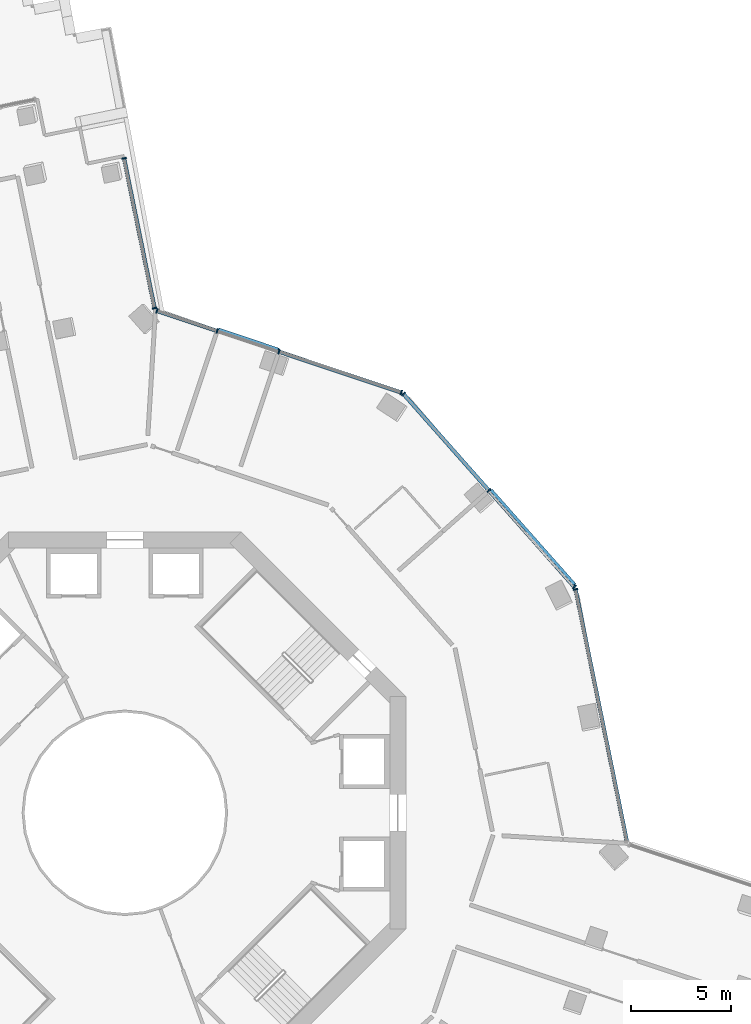
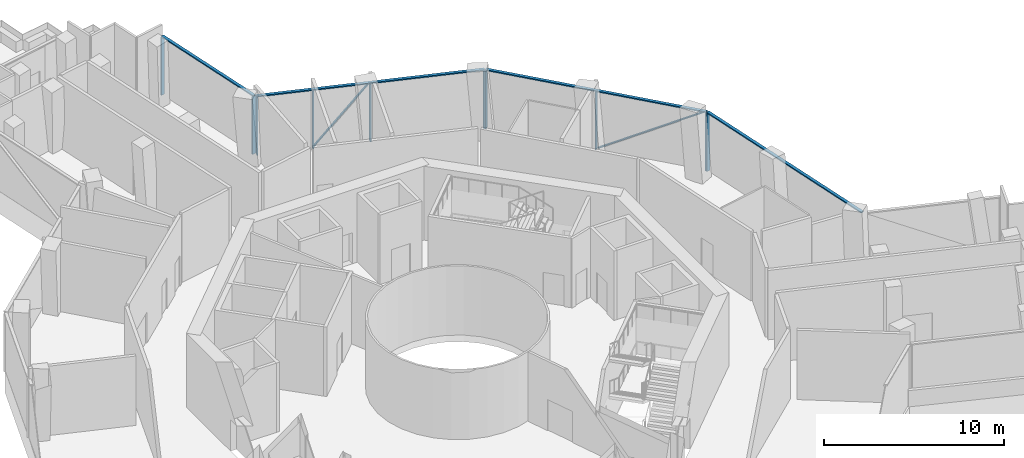
# One storey, part 5 of 20: 16 members, 4 elements without a shape of their own.
"""IFC4 building model written with IfcOpenShell, lengths in metres."""

from ifc_helpers import new_model, si_unit, direction, frame, origin, origin_2d, place, context, subcontext, project, spatial, rectangle, extrude, material, layer, layer_set, material_profile, profile_set, type_object, element, aggregate, save


model = new_model("IFC4")

# Units and contexts
model_context = context("Model", 3, precision=1e-05, world=origin(), true_north=direction((0.0, 1.0)))
body_context = subcontext(model_context, "Body", "Model", "MODEL_VIEW")
ifc_project = project(units=[si_unit("LENGTHUNIT", "METRE"), si_unit("AREAUNIT", "SQUARE_METRE"), si_unit("VOLUMEUNIT", "CUBIC_METRE"), si_unit("PLANEANGLEUNIT", "RADIAN"), si_unit("MASSUNIT", "GRAM", prefix="KILO")], contexts=[model_context])

# Site, building, storey
site_placement = place(None, origin())
site = spatial("IfcSite", under=ifc_project, at=site_placement, CompositionType="ELEMENT")
building_placement = place(site_placement, origin())
building = spatial("IfcBuilding", under=site, at=building_placement, Name="Verdalira Terraces Hotel", CompositionType="ELEMENT")
storey_placement = place(building_placement, frame((0.0, 0.0, 81.0)))
storey = spatial("IfcBuildingStorey", under=building, at=storey_placement, Name="L18", CompositionType="ELEMENT", Elevation=81.0)

# Curtain wall, members
ifc_material_1 = material(Name="Clear glass", Category="glass")
ifc_layer = layer(ifc_material_1, 0.239990234375)
ifc_layer_set = layer_set([ifc_layer], Name="CW5 curtain wall")
curtain_wall_type = type_object("IfcCurtainWallType", Name="CW5 curtain wall", PredefinedType="NOTDEFINED", material=ifc_layer_set)
curtain_wall_1_placement = place(storey_placement, origin())
curtain_wall_1 = element("IfcCurtainWall", 1, at=curtain_wall_1_placement, inside=storey, type_object=curtain_wall_type, Name="CW5 curtain wall L18 edge 0", PredefinedType="NOTDEFINED")
ifc_material_2 = material(Name="Terracotta frame", Category="masonry")
ifc_material_profile_1 = material_profile(ifc_material_2, rectangle(XDim=0.070068, YDim=0.23999, at=origin_2d()), Name="MU 70x240")
ifc_profile_set_1 = profile_set([ifc_material_profile_1], Name="Terracotta frame")
member_type_1 = type_object("IfcMemberType", Name="CW5 mullion 70x240", PredefinedType="MULLION", material=ifc_profile_set_1)
member_1_placement = place(storey_placement, frame((1.477783, 25.146973, 0.0), z_axis=(0.0, 0.0, 1.0), x_axis=(-0.199709981, 0.979855052, 0.0)))
member_1 = element("IfcMember", 2, at=member_1_placement, type_object=member_type_1, Name="CW5 mullion", PredefinedType="MULLION", context=body_context, shape_type="SweptSolid", body=[
    extrude(rectangle(XDim=0.070068, YDim=0.23999, at=origin_2d()), origin(), (0.0, 0.0, 1.0), 3.915039),
])
member_2_placement = place(storey_placement, frame((-0.043945, 32.613281, 0.0), z_axis=(0.0, 0.0, 1.0), x_axis=(-0.199709981, 0.979855052, 0.0)))
member_2 = element("IfcMember", 3, at=member_2_placement, type_object=member_type_1, Name="CW5 mullion", PredefinedType="MULLION", context=body_context, shape_type="SweptSolid", body=[
    extrude(rectangle(XDim=0.070068, YDim=0.23999, at=origin_2d()), origin(), (0.0, 0.0, 1.0), 3.915039),
])

# Curtain wall, member
curtain_wall_2_placement = place(storey_placement, origin())
curtain_wall_2 = element("IfcCurtainWall", 4, at=curtain_wall_2_placement, inside=storey, type_object=curtain_wall_type, Name="CW5 curtain wall L18 edge 39", PredefinedType="NOTDEFINED")
member_3_placement = place(storey_placement, frame((22.457275, 11.134033, 0.0), z_axis=(0.0, 0.0, 1.0), x_axis=(-0.199709981, 0.979855052, 0.0)))
member_3 = element("IfcMember", 5, at=member_3_placement, type_object=member_type_1, Name="CW5 mullion", PredefinedType="MULLION", context=body_context, shape_type="SweptSolid", body=[
    extrude(rectangle(XDim=0.070068, YDim=0.23999, at=origin_2d()), origin(), (0.0, 0.0, 1.0), 3.915039),
])

# Curtain wall, members
curtain_wall_3_placement = place(storey_placement, origin())
curtain_wall_3 = element("IfcCurtainWall", 6, at=curtain_wall_3_placement, inside=storey, type_object=curtain_wall_type, Name="CW5 curtain wall L18 edge 40", PredefinedType="NOTDEFINED")
member_4_placement = place(storey_placement, frame((22.39917, 11.25, 0.0), z_axis=(0.0, 0.0, 1.0), x_axis=(-0.662881443, 0.748724377, 0.0)))
member_4 = element("IfcMember", 7, at=member_4_placement, type_object=member_type_1, Name="CW5 mullion", PredefinedType="MULLION", context=body_context, shape_type="SweptSolid", body=[
    extrude(rectangle(XDim=0.070068, YDim=0.23999, at=origin_2d()), origin(), (0.0, 0.0, 1.0), 3.915039),
])
member_5_placement = place(storey_placement, frame((18.140381, 16.060547, 0.0), z_axis=(0.0, 0.0, 1.0), x_axis=(-0.662881443, 0.748724377, 0.0)))
member_5 = element("IfcMember", 8, at=member_5_placement, type_object=member_type_1, Name="CW5 mullion", PredefinedType="MULLION", context=body_context, shape_type="SweptSolid", body=[
    extrude(rectangle(XDim=0.070068, YDim=0.23999, at=origin_2d()), origin(), (0.0, 0.0, 1.0), 3.915039),
])
member_6_placement = place(storey_placement, frame((13.881348, 20.87085, 0.0), z_axis=(0.0, 0.0, 1.0), x_axis=(-0.662881443, 0.748724377, 0.0)))
member_6 = element("IfcMember", 9, at=member_6_placement, type_object=member_type_1, Name="CW5 mullion", PredefinedType="MULLION", context=body_context, shape_type="SweptSolid", body=[
    extrude(rectangle(XDim=0.070068, YDim=0.23999, at=origin_2d()), origin(), (0.0, 0.0, 1.0), 3.915039),
])

curtain_wall_4_placement = place(storey_placement, origin())
curtain_wall_4 = element("IfcCurtainWall", 10, at=curtain_wall_4_placement, inside=storey, type_object=curtain_wall_type, Name="CW5 curtain wall L18 edge 41", PredefinedType="NOTDEFINED")
member_7_placement = place(storey_placement, frame((13.773193, 20.942383, 0.0), z_axis=(0.0, 0.0, 1.0), x_axis=(-0.948434358, 0.31697361, 0.0)))
member_7 = element("IfcMember", 11, at=member_7_placement, type_object=member_type_1, Name="CW5 mullion", PredefinedType="MULLION", context=body_context, shape_type="SweptSolid", body=[
    extrude(rectangle(XDim=0.070068, YDim=0.23999, at=origin_2d()), origin(), (0.0, 0.0, 1.0), 3.915039),
])
member_8_placement = place(storey_placement, frame((7.679688, 22.979004, 0.0), z_axis=(0.0, 0.0, 1.0), x_axis=(-0.948434358, 0.31697361, 0.0)))
member_8 = element("IfcMember", 12, at=member_8_placement, type_object=member_type_1, Name="CW5 mullion", PredefinedType="MULLION", context=body_context, shape_type="SweptSolid", body=[
    extrude(rectangle(XDim=0.070068, YDim=0.23999, at=origin_2d()), origin(), (0.0, 0.0, 1.0), 3.915039),
])
member_9_placement = place(storey_placement, frame((4.597412, 24.009033, 0.0), z_axis=(0.0, 0.0, 1.0), x_axis=(-0.948434358, 0.31697361, 0.0)))
member_9 = element("IfcMember", 13, at=member_9_placement, type_object=member_type_1, Name="CW5 mullion", PredefinedType="MULLION", context=body_context, shape_type="SweptSolid", body=[
    extrude(rectangle(XDim=0.070068, YDim=0.23999, at=origin_2d()), origin(), (0.0, 0.0, 1.0), 3.915039),
])
member_10_placement = place(storey_placement, frame((1.597412, 25.011719, 0.0), z_axis=(0.0, 0.0, 1.0), x_axis=(-0.948434358, 0.31697361, 0.0)))
member_10 = element("IfcMember", 14, at=member_10_placement, type_object=member_type_1, Name="CW5 mullion", PredefinedType="MULLION", context=body_context, shape_type="SweptSolid", body=[
    extrude(rectangle(XDim=0.070068, YDim=0.23999, at=origin_2d()), origin(), (0.0, 0.0, 1.0), 3.915039),
])

# Member
ifc_material_3 = material(Name="Terracotta frame", Category="masonry")
ifc_material_profile_2 = material_profile(ifc_material_3, rectangle(XDim=0.189941, YDim=0.074951, at=origin_2d()), Name="TR 75x190")
ifc_profile_set_2 = profile_set([ifc_material_profile_2], Name="Terracotta frame")
member_type_2 = type_object("IfcMemberType", Name="CW5 transom 75x190", PredefinedType="USERDEFINED", material=ifc_profile_set_2)
member_11_placement = place(storey_placement, frame((1.484619, 25.112793, 3.952393), z_axis=(-0.199704967, 0.979856074, 0.0), x_axis=(-0.979856074, -0.199704967, 0.0)))
member_11 = element("IfcMember", 15, at=member_11_placement, type_object=member_type_2, Name="CW5 transom", ObjectType="TRANSOM", PredefinedType="USERDEFINED", context=body_context, shape_type="SweptSolid", body=[
    extrude(rectangle(XDim=0.189941, YDim=0.074951, at=origin_2d()), origin(), (0.0, 0.0, 1.0), 7.689453),
])

aggregate(curtain_wall_1, [member_1, member_2, member_11])

member_12_placement = place(storey_placement, frame((25.028076, -1.479492, 3.952393), z_axis=(-0.199715799, 0.979853866, 0.0), x_axis=(-0.979853866, -0.199715799, 0.0)))
member_12 = element("IfcMember", 16, at=member_12_placement, type_object=member_type_2, Name="CW5 transom", ObjectType="TRANSOM", PredefinedType="USERDEFINED", context=body_context, shape_type="SweptSolid", body=[
    extrude(rectangle(XDim=0.189941, YDim=0.074951, at=origin_2d()), origin(), (0.0, 0.0, 1.0), 12.907715),
])

aggregate(curtain_wall_2, [member_3, member_12])

member_13_placement = place(storey_placement, frame((22.422363, 11.223877, 3.952393), z_axis=(-0.66287881, 0.748726708, 0.0), x_axis=(-0.748726708, -0.66287881, 0.0)))
member_13 = element("IfcMember", 17, at=member_13_placement, type_object=member_type_2, Name="CW5 transom", ObjectType="TRANSOM", PredefinedType="USERDEFINED", context=body_context, shape_type="SweptSolid", body=[
    extrude(rectangle(XDim=0.189941, YDim=0.074951, at=origin_2d()), origin(), (0.0, 0.0, 1.0), 12.919678),
])

member_14_placement = place(storey_placement, frame((13.806396, 20.931396, 3.952393), z_axis=(-0.94843144, 0.316982341, 0.0), x_axis=(-0.316982341, -0.94843144, 0.0)))
member_14 = element("IfcMember", 18, at=member_14_placement, type_object=member_type_2, Name="CW5 transom", ObjectType="TRANSOM", PredefinedType="USERDEFINED", context=body_context, shape_type="SweptSolid", body=[
    extrude(rectangle(XDim=0.189941, YDim=0.074951, at=origin_2d()), origin(), (0.0, 0.0, 1.0), 12.907715),
])

ifc_material_4 = material(Name="Terracotta frame", Category="masonry")
ifc_material_profile_3 = material_profile(ifc_material_4, rectangle(XDim=0.149902, YDim=0.060059, at=origin_2d()), Name="GB 60x150")
ifc_profile_set_3 = profile_set([ifc_material_profile_3], Name="Terracotta frame")
member_type_3 = type_object("IfcMemberType", Name="Diagonal glazing bar 60x150", PredefinedType="USERDEFINED", material=ifc_profile_set_3)
member_15_placement = place(storey_placement, frame((22.419922, 11.372803, 3.888428), z_axis=(-0.56434303, 0.637493082, -0.524518365), x_axis=(-0.748759373, -0.662841913, 0.0)))
member_15 = element("IfcMember", 19, at=member_15_placement, type_object=member_type_3, Name="Diagonal glazing bar", ObjectType="GLAZING BAR", PredefinedType="USERDEFINED", context=body_context, shape_type="SweptSolid", body=[
    extrude(rectangle(XDim=0.149902, YDim=0.060059, at=origin_2d()), origin(), (0.0, 0.0, 1.0), 7.362549),
])

aggregate(curtain_wall_3, [member_4, member_5, member_6, member_13, member_15])

member_16_placement = place(storey_placement, frame((7.654053, 23.089844, 3.884766), z_axis=(-0.597978386, 0.199850542, -0.776196889), x_axis=(-0.316976246, -0.948433477, 0.0)))
member_16 = element("IfcMember", 20, at=member_16_placement, type_object=member_type_3, Name="Diagonal glazing bar", ObjectType="GLAZING BAR", PredefinedType="USERDEFINED", context=body_context, shape_type="SweptSolid", body=[
    extrude(rectangle(XDim=0.149902, YDim=0.060059, at=origin_2d()), origin(), (0.0, 0.0, 1.0), 4.96582),
])

aggregate(curtain_wall_4, [member_7, member_8, member_9, member_10, member_14, member_16])

save(model, "model.ifc")
